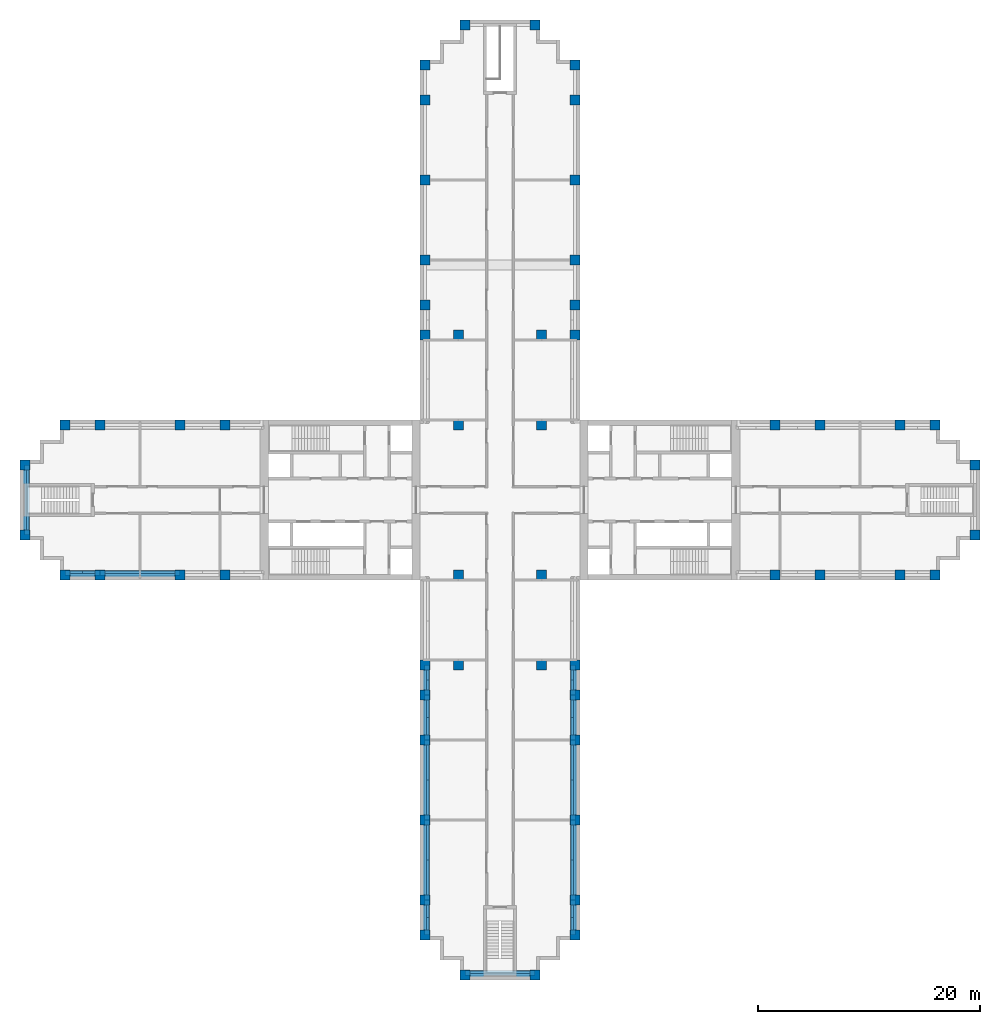
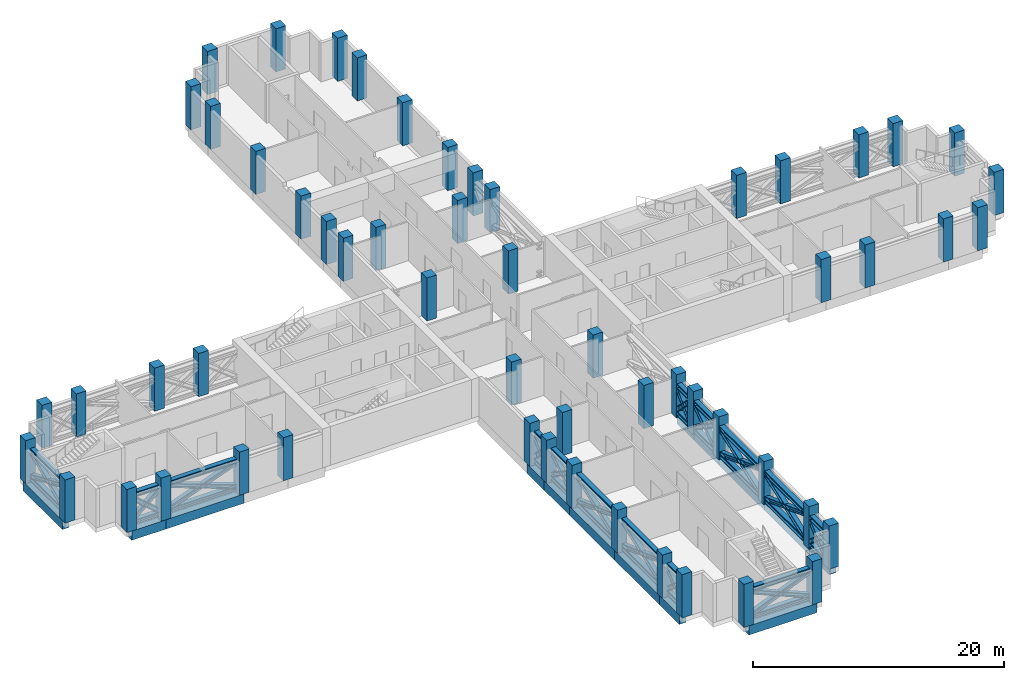
# One storey, part 1 of 10: 56 columns, 56 members, 14 beams.
"""IFC4 building model written with IfcOpenShell, lengths in metres."""

from ifc_helpers import new_model, si_unit, direction, frame, origin, origin_2d, place, context, subcontext, project, spatial, rectangle, i_section, extrude, material, material_profile, profile_set, type_object, element, save


model = new_model("IFC4")

# Units and contexts
model_context = context("Model", 3, precision=1e-05, world=origin(), true_north=direction((0.0, 1.0)))
body_context = subcontext(model_context, "Body", "Model", "MODEL_VIEW")
ifc_project = project(units=[si_unit("LENGTHUNIT", "METRE"), si_unit("AREAUNIT", "SQUARE_METRE"), si_unit("VOLUMEUNIT", "CUBIC_METRE"), si_unit("PLANEANGLEUNIT", "RADIAN"), si_unit("MASSUNIT", "GRAM", prefix="KILO")], contexts=[model_context])

# Site, building, storey
site_placement = place(None, origin())
site = spatial("IfcSite", under=ifc_project, at=site_placement, CompositionType="ELEMENT")
building_placement = place(site_placement, origin())
building = spatial("IfcBuilding", under=site, at=building_placement, Name="Fustian Cross Tower", CompositionType="ELEMENT")
storey_placement = place(building_placement, frame((0.0, 0.0, 62.699951171875)))
storey = spatial("IfcBuildingStorey", under=building, at=storey_placement, Name="L19", CompositionType="ELEMENT", Elevation=62.699951171875)

# Columns
ifc_material_1 = material(Name="Concrete C60/75", Category="concrete")
ifc_material_profile_1 = material_profile(ifc_material_1, rectangle(XDim=0.89990234375, YDim=0.89990234375, at=origin_2d()), Name="RC 900x900")
ifc_profile_set_1 = profile_set([ifc_material_profile_1], Name="Concrete C60/75")
column_type = type_object("IfcColumnType", Name="COLUMN RC 900x900 C60/75", PredefinedType="COLUMN", material=ifc_profile_set_1)
for number, where, z_axis, x_axis, name in (
    (1, (-42.75, -3.14990234375, 0.0), (0.0, 0.0, 1.0), (1.0, 0.0, 0.0), "COLUMN 001"),
    (2, (-42.75, 3.14990234375, 0.0), (0.0, 0.0, 1.0), (1.0, 0.0, 0.0), "COLUMN 002"),
    (3, (-39.14990234375, -6.75, 0.0), (0.0, 0.0, 1.0), (1.0, 0.0, 0.0), "COLUMN 003"),
    (4, (-39.14990234375, 6.75, 0.0), (0.0, 0.0, 1.0), (1.0, 0.0, 0.0), "COLUMN 004"),
    (5, (-36.0, -6.75, 0.0), (0.0, 0.0, 1.0), (1.0, 0.0, 0.0), "COLUMN 005"),
    (6, (-36.0, 6.75, 0.0), (0.0, 0.0, 1.0), (1.0, 0.0, 0.0), "COLUMN 006"),
    (7, (-28.800048828125, -6.75, 0.0), (0.0, 0.0, 1.0), (1.0, 0.0, 0.0), "COLUMN 007"),
    (8, (-28.800048828125, 6.75, 0.0), (0.0, 0.0, 1.0), (1.0, 0.0, 0.0), "COLUMN 010"),
    (9, (-24.75, -6.75, 0.0), (0.0, 0.0, 1.0), (1.0, 0.0, 0.0), "COLUMN 011"),
    (10, (-24.75, 6.75, 0.0), (0.0, 0.0, 1.0), (1.0, 0.0, 0.0), "COLUMN 012"),
    (11, (-6.75, -39.14990234375, 0.0), (0.0, 0.0, 1.0), (1.0, 0.0, 0.0), "COLUMN 013"),
    (12, (-6.75, -36.0, 0.0), (0.0, 0.0, 1.0), (1.0, 0.0, 0.0), "COLUMN 014"),
    (13, (-6.75, -28.800048828125, 0.0), (0.0, 0.0, 1.0), (1.0, 0.0, 0.0), "COLUMN 015"),
    (14, (-6.75, -21.60009765625, 0.0), (0.0, 0.0, 1.0), (1.0, 0.0, 0.0), "COLUMN 016"),
    (15, (-6.75, -17.550048828125, 0.0), (0.0, 0.0, 1.0), (1.0, 0.0, 0.0), "COLUMN 017"),
    (16, (-6.75, -14.85009765625, 0.0), (0.0, 0.0, 1.0), (1.0, 0.0, 0.0), "COLUMN 018"),
    (17, (-6.75, 14.85009765625, 0.0), (0.0, 0.0, 1.0), (1.0, 0.0, 0.0), "COLUMN 019"),
    (18, (-6.75, 17.550048828125, 0.0), (0.0, 0.0, 1.0), (1.0, 0.0, 0.0), "COLUMN 020"),
    (19, (-6.75, 21.60009765625, 0.0), (0.0, 0.0, 1.0), (1.0, 0.0, 0.0), "COLUMN 021"),
    (20, (-6.75, 28.800048828125, 0.0), (0.0, 0.0, 1.0), (1.0, 0.0, 0.0), "COLUMN 022"),
    (21, (-6.75, 36.0, 0.0), (0.0, 0.0, 1.0), (1.0, 0.0, 0.0), "COLUMN 023"),
    (22, (-6.75, 39.14990234375, 0.0), (0.0, 0.0, 1.0), (1.0, 0.0, 0.0), "COLUMN 024"),
    (23, (-3.75, -14.85009765625, 0.0), (0.0, 0.0, 1.0), (1.0, 0.0, 0.0), "COLUMN 025"),
    (24, (-3.75, -6.75, 0.0), (0.0, 0.0, 1.0), (1.0, 0.0, 0.0), "COLUMN 026"),
    (25, (-3.75, 6.75, 0.0), (0.0, 0.0, 1.0), (1.0, 0.0, 0.0), "COLUMN 027"),
    (26, (-3.75, 14.85009765625, 0.0), (0.0, 0.0, 1.0), (1.0, 0.0, 0.0), "COLUMN 028"),
    (27, (-3.14990234375, -42.75, 0.0), (0.0, 0.0, 1.0), (1.0, 0.0, 0.0), "COLUMN 029"),
    (28, (-3.14990234375, 42.75, 0.0), (0.0, 0.0, 1.0), (1.0, 0.0, 0.0), "COLUMN 032"),
    (29, (3.14990234375, -42.75, 0.0), (0.0, 0.0, 1.0), (1.0, 0.0, 0.0), "COLUMN 033"),
    (30, (3.14990234375, 42.75, 0.0), (0.0, 0.0, 1.0), (1.0, 0.0, 0.0), "COLUMN 036"),
    (31, (3.75, -14.85009765625, 0.0), (0.0, 0.0, 1.0), (1.0, 0.0, 0.0), "COLUMN 037"),
    (32, (3.75, -6.75, 0.0), (0.0, 0.0, 1.0), (1.0, 0.0, 0.0), "COLUMN 038"),
    (33, (3.75, 6.75, 0.0), (0.0, 0.0, 1.0), (1.0, 0.0, 0.0), "COLUMN 039"),
    (34, (3.75, 14.85009765625, 0.0), (0.0, 0.0, 1.0), (1.0, 0.0, 0.0), "COLUMN 040"),
    (35, (6.75, -39.14990234375, 0.0), (0.0, 0.0, 1.0), (1.0, 0.0, 0.0), "COLUMN 041"),
    (36, (6.75, -36.0, 0.0), (0.0, 0.0, 1.0), (1.0, 0.0, 0.0), "COLUMN 042"),
    (37, (6.75, -28.800048828125, 0.0), (0.0, 0.0, 1.0), (1.0, 0.0, 0.0), "COLUMN 043"),
    (38, (6.75, -21.60009765625, 0.0), (0.0, 0.0, 1.0), (1.0, 0.0, 0.0), "COLUMN 044"),
    (39, (6.75, -17.550048828125, 0.0), (0.0, 0.0, 1.0), (1.0, 0.0, 0.0), "COLUMN 045"),
    (40, (6.75, -14.85009765625, 0.0), (0.0, 0.0, 1.0), (1.0, 0.0, 0.0), "COLUMN 046"),
    (41, (6.75, 14.85009765625, 0.0), (0.0, 0.0, 1.0), (1.0, 0.0, 0.0), "COLUMN 047"),
    (42, (6.75, 17.550048828125, 0.0), (0.0, 0.0, 1.0), (1.0, 0.0, 0.0), "COLUMN 048"),
    (43, (6.75, 21.60009765625, 0.0), (0.0, 0.0, 1.0), (1.0, 0.0, 0.0), "COLUMN 049"),
    (44, (6.75, 28.800048828125, 0.0), (0.0, 0.0, 1.0), (1.0, 0.0, 0.0), "COLUMN 050"),
    (45, (6.75, 36.0, 0.0), (0.0, 0.0, 1.0), (1.0, 0.0, 0.0), "COLUMN 051"),
    (46, (6.75, 39.14990234375, 0.0), (0.0, 0.0, 1.0), (1.0, 0.0, 0.0), "COLUMN 052"),
    (47, (24.75, -6.75, 0.0), (0.0, 0.0, 1.0), (1.0, 0.0, 0.0), "COLUMN 053"),
    (48, (24.75, 6.75, 0.0), (0.0, 0.0, 1.0), (1.0, 0.0, 0.0), "COLUMN 054"),
    (49, (28.800048828125, -6.75, 0.0), (0.0, 0.0, 1.0), (1.0, 0.0, 0.0), "COLUMN 055"),
    (50, (28.800048828125, 6.75, 0.0), (0.0, 0.0, 1.0), (1.0, 0.0, 0.0), "COLUMN 058"),
    (51, (36.0, -6.75, 0.0), (0.0, 0.0, 1.0), (1.0, 0.0, 0.0), "COLUMN 059"),
    (52, (36.0, 6.75, 0.0), (0.0, 0.0, 1.0), (1.0, 0.0, 0.0), "COLUMN 060"),
    (53, (39.14990234375, -6.75, 0.0), (0.0, 0.0, 1.0), (1.0, 0.0, 0.0), "COLUMN 061"),
    (54, (39.14990234375, 6.75, 0.0), (0.0, 0.0, 1.0), (1.0, 0.0, 0.0), "COLUMN 062"),
    (55, (42.75, -3.14990234375, 0.0), (0.0, 0.0, 1.0), (1.0, 0.0, 0.0), "COLUMN 063"),
    (56, (42.75, 3.14990234375, 0.0), (0.0, 0.0, 1.0), (1.0, 0.0, 0.0), "COLUMN 064"),
):
    element("IfcColumn", number, at=place(storey_placement, frame(where, z_axis=z_axis, x_axis=x_axis)), inside=storey, type_object=column_type, Name=name, PredefinedType="COLUMN", context=body_context, shape_type="SweptSolid", body=[
        extrude(rectangle(XDim=0.89990234375, YDim=0.89990234375, at=origin_2d()), origin(), (0.0, 0.0, 1.0), 4.199951171875),
    ])

# Members
ifc_material_2 = material(Name="Steel S355", Category="steel")
ifc_material_profile_2 = material_profile(ifc_material_2, i_section(OverallWidth=0.403076171875, OverallDepth=0.406494140625, WebThickness=0.026611328125, FlangeThickness=0.04296875, FilletRadius=0.01513671875, at=origin_2d()), Name="UC 356x406x340")
ifc_profile_set_2 = profile_set([ifc_material_profile_2], Name="Steel S355")
member_type_1 = type_object("IfcMemberType", Name="BELT TRUSS BRACE UC 356x406x340 S355", PredefinedType="BRACE", material=ifc_profile_set_2)
for number, where, z_axis, x_axis, name in (
    (57, (-42.570068359375, 3.14990234375, 0.400146484375), (0.0, -0.921109079708, 0.389304589339), (1.0, 0.0, 0.0), "BELT TRUSS BRACE L19-18X"),
    (58, (-42.570068359375, 3.14990234375, 3.062744140625), (0.0, -0.921109079708, -0.389304589339), (1.0, 0.0, 0.0), "BELT TRUSS BRACE L19-18Y"),
):
    element("IfcMember", number, at=place(storey_placement, frame(where, z_axis=z_axis, x_axis=x_axis)), inside=storey, type_object=member_type_1, Name=name, PredefinedType="BRACE", context=body_context, shape_type="SweptSolid", body=[
        extrude(i_section(OverallWidth=0.403076171875, OverallDepth=0.406494140625, WebThickness=0.026611328125, FlangeThickness=0.04296875, FilletRadius=0.01513671875, at=origin_2d()), origin(), (0.0, 0.0, 1.0), 6.83935546875),
    ])
for number, where, z_axis, x_axis, name in (
    (59, (-39.14990234375, -6.570068359375, 0.400146484375), (0.763709506591, 0.0, 0.645560058819), (0.0, 1.0, 0.0), "BELT TRUSS BRACE L19-19X"),
    (60, (-39.14990234375, -6.570068359375, 3.062744140625), (0.763709506591, 0.0, -0.645560058819), (0.0, 1.0, 0.0), "BELT TRUSS BRACE L19-19Y"),
):
    element("IfcMember", number, at=place(storey_placement, frame(where, z_axis=z_axis, x_axis=x_axis)), inside=storey, type_object=member_type_1, Name=name, PredefinedType="BRACE", context=body_context, shape_type="SweptSolid", body=[
        extrude(i_section(OverallWidth=0.403076171875, OverallDepth=0.406494140625, WebThickness=0.026611328125, FlangeThickness=0.04296875, FilletRadius=0.01513671875, at=origin_2d()), origin(), (0.0, 0.0, 1.0), 4.12451171875),
    ])
for number, where, z_axis, x_axis, name in (
    (61, (-36.0, -6.570068359375, 0.400146484375), (0.937920515883, 0.0, 0.346850264359), (0.0, 1.0, 0.0), "BELT TRUSS BRACE L19-20X"),
    (62, (-36.0, -6.570068359375, 3.062744140625), (0.937920515883, 0.0, -0.346850264359), (0.0, 1.0, 0.0), "BELT TRUSS BRACE L19-20Y"),
):
    element("IfcMember", number, at=place(storey_placement, frame(where, z_axis=z_axis, x_axis=x_axis)), inside=storey, type_object=member_type_1, Name=name, PredefinedType="BRACE", context=body_context, shape_type="SweptSolid", body=[
        extrude(i_section(OverallWidth=0.403076171875, OverallDepth=0.406494140625, WebThickness=0.026611328125, FlangeThickness=0.04296875, FilletRadius=0.01513671875, at=origin_2d()), origin(), (0.0, 0.0, 1.0), 7.676513671875),
    ])
for number, where, z_axis, x_axis, name in (
    (63, (-6.570068359375, -14.85009765625, 0.400146484375), (0.0, -0.712014950109, 0.702164304719), (1.0, 0.0, 0.0), "BELT TRUSS BRACE L19-24X"),
    (64, (-6.570068359375, -14.85009765625, 3.062744140625), (0.0, -0.712014950109, -0.702164304719), (1.0, 0.0, 0.0), "BELT TRUSS BRACE L19-24Y"),
):
    element("IfcMember", number, at=place(storey_placement, frame(where, z_axis=z_axis, x_axis=x_axis)), inside=storey, type_object=member_type_1, Name=name, PredefinedType="BRACE", context=body_context, shape_type="SweptSolid", body=[
        extrude(i_section(OverallWidth=0.403076171875, OverallDepth=0.406494140625, WebThickness=0.026611328125, FlangeThickness=0.04296875, FilletRadius=0.01513671875, at=origin_2d()), origin(), (0.0, 0.0, 1.0), 3.7919921875),
    ])
for number, where, z_axis, x_axis, name in (
    (65, (-6.570068359375, -17.550048828125, 0.400146484375), (0.0, -0.835597801521, 0.549341709771), (1.0, 0.0, 0.0), "BELT TRUSS BRACE L19-25X"),
    (66, (-6.570068359375, -17.550048828125, 3.062744140625), (0.0, -0.835597801521, -0.549341709771), (1.0, 0.0, 0.0), "BELT TRUSS BRACE L19-25Y"),
):
    element("IfcMember", number, at=place(storey_placement, frame(where, z_axis=z_axis, x_axis=x_axis)), inside=storey, type_object=member_type_1, Name=name, PredefinedType="BRACE", context=body_context, shape_type="SweptSolid", body=[
        extrude(i_section(OverallWidth=0.403076171875, OverallDepth=0.406494140625, WebThickness=0.026611328125, FlangeThickness=0.04296875, FilletRadius=0.01513671875, at=origin_2d()), origin(), (0.0, 0.0, 1.0), 4.846923828125),
    ])
for number, where, z_axis, x_axis, name in (
    (67, (-6.570068359375, -21.60009765625, 0.400146484375), (0.0, -0.937920515883, 0.346850264359), (1.0, 0.0, 0.0), "BELT TRUSS BRACE L19-26X"),
    (68, (-6.570068359375, -21.60009765625, 3.062744140625), (0.0, -0.937920515883, -0.346850264359), (1.0, 0.0, 0.0), "BELT TRUSS BRACE L19-26Y"),
    (69, (-6.570068359375, -28.800048828125, 0.400146484375), (0.0, -0.937920515883, 0.346850264359), (1.0, 0.0, 0.0), "BELT TRUSS BRACE L19-27X"),
    (70, (-6.570068359375, -28.800048828125, 3.062744140625), (0.0, -0.937920515883, -0.346850264359), (1.0, 0.0, 0.0), "BELT TRUSS BRACE L19-27Y"),
):
    element("IfcMember", number, at=place(storey_placement, frame(where, z_axis=z_axis, x_axis=x_axis)), inside=storey, type_object=member_type_1, Name=name, PredefinedType="BRACE", context=body_context, shape_type="SweptSolid", body=[
        extrude(i_section(OverallWidth=0.403076171875, OverallDepth=0.406494140625, WebThickness=0.026611328125, FlangeThickness=0.04296875, FilletRadius=0.01513671875, at=origin_2d()), origin(), (0.0, 0.0, 1.0), 7.676513671875),
    ])
for number, where, z_axis, x_axis, name in (
    (71, (-6.570068359375, -36.0, 0.400146484375), (0.0, -0.763709506591, 0.645560058819), (1.0, 0.0, 0.0), "BELT TRUSS BRACE L19-28X"),
    (72, (-6.570068359375, -36.0, 3.062744140625), (0.0, -0.763709506591, -0.645560058819), (1.0, 0.0, 0.0), "BELT TRUSS BRACE L19-28Y"),
):
    element("IfcMember", number, at=place(storey_placement, frame(where, z_axis=z_axis, x_axis=x_axis)), inside=storey, type_object=member_type_1, Name=name, PredefinedType="BRACE", context=body_context, shape_type="SweptSolid", body=[
        extrude(i_section(OverallWidth=0.403076171875, OverallDepth=0.406494140625, WebThickness=0.026611328125, FlangeThickness=0.04296875, FilletRadius=0.01513671875, at=origin_2d()), origin(), (0.0, 0.0, 1.0), 4.12451171875),
    ])
for number, where, z_axis, x_axis, name in (
    (73, (-3.14990234375, -42.570068359375, 0.400146484375), (0.921109079708, 0.0, 0.389304589339), (0.0, 1.0, 0.0), "BELT TRUSS BRACE L19-29X"),
    (74, (-3.14990234375, -42.570068359375, 3.062744140625), (0.921109079708, 0.0, -0.389304589339), (0.0, 1.0, 0.0), "BELT TRUSS BRACE L19-29Y"),
):
    element("IfcMember", number, at=place(storey_placement, frame(where, z_axis=z_axis, x_axis=x_axis)), inside=storey, type_object=member_type_1, Name=name, PredefinedType="BRACE", context=body_context, shape_type="SweptSolid", body=[
        extrude(i_section(OverallWidth=0.403076171875, OverallDepth=0.406494140625, WebThickness=0.026611328125, FlangeThickness=0.04296875, FilletRadius=0.01513671875, at=origin_2d()), origin(), (0.0, 0.0, 1.0), 6.83935546875),
    ])
for number, where, z_axis, x_axis, name in (
    (75, (6.570068359375, -39.14990234375, 0.400146484375), (0.0, 0.763709506591, 0.645560058819), (-1.0, 0.0, 0.0), "BELT TRUSS BRACE L19-30X"),
    (76, (6.570068359375, -39.14990234375, 3.062744140625), (0.0, 0.763709506591, -0.645560058819), (-1.0, 0.0, 0.0), "BELT TRUSS BRACE L19-30Y"),
):
    element("IfcMember", number, at=place(storey_placement, frame(where, z_axis=z_axis, x_axis=x_axis)), inside=storey, type_object=member_type_1, Name=name, PredefinedType="BRACE", context=body_context, shape_type="SweptSolid", body=[
        extrude(i_section(OverallWidth=0.403076171875, OverallDepth=0.406494140625, WebThickness=0.026611328125, FlangeThickness=0.04296875, FilletRadius=0.01513671875, at=origin_2d()), origin(), (0.0, 0.0, 1.0), 4.12451171875),
    ])
for number, where, z_axis, x_axis, name in (
    (77, (6.570068359375, -36.0, 0.400146484375), (0.0, 0.937920515883, 0.346850264359), (-1.0, 0.0, 0.0), "BELT TRUSS BRACE L19-31X"),
    (78, (6.570068359375, -36.0, 3.062744140625), (0.0, 0.937920515883, -0.346850264359), (-1.0, 0.0, 0.0), "BELT TRUSS BRACE L19-31Y"),
    (79, (6.570068359375, -28.800048828125, 0.400146484375), (0.0, 0.937920515883, 0.346850264359), (-1.0, 0.0, 0.0), "BELT TRUSS BRACE L19-32X"),
    (80, (6.570068359375, -28.800048828125, 3.062744140625), (0.0, 0.937920515883, -0.346850264359), (-1.0, 0.0, 0.0), "BELT TRUSS BRACE L19-32Y"),
):
    element("IfcMember", number, at=place(storey_placement, frame(where, z_axis=z_axis, x_axis=x_axis)), inside=storey, type_object=member_type_1, Name=name, PredefinedType="BRACE", context=body_context, shape_type="SweptSolid", body=[
        extrude(i_section(OverallWidth=0.403076171875, OverallDepth=0.406494140625, WebThickness=0.026611328125, FlangeThickness=0.04296875, FilletRadius=0.01513671875, at=origin_2d()), origin(), (0.0, 0.0, 1.0), 7.676513671875),
    ])
for number, where, z_axis, x_axis, name in (
    (81, (6.570068359375, -21.60009765625, 0.400146484375), (0.0, 0.835597801521, 0.549341709771), (-1.0, 0.0, 0.0), "BELT TRUSS BRACE L19-33X"),
    (82, (6.570068359375, -21.60009765625, 3.062744140625), (0.0, 0.835597801521, -0.549341709771), (-1.0, 0.0, 0.0), "BELT TRUSS BRACE L19-33Y"),
):
    element("IfcMember", number, at=place(storey_placement, frame(where, z_axis=z_axis, x_axis=x_axis)), inside=storey, type_object=member_type_1, Name=name, PredefinedType="BRACE", context=body_context, shape_type="SweptSolid", body=[
        extrude(i_section(OverallWidth=0.403076171875, OverallDepth=0.406494140625, WebThickness=0.026611328125, FlangeThickness=0.04296875, FilletRadius=0.01513671875, at=origin_2d()), origin(), (0.0, 0.0, 1.0), 4.846923828125),
    ])
for number, where, z_axis, x_axis, name in (
    (83, (6.570068359375, -17.550048828125, 0.400146484375), (0.0, 0.712014950109, 0.702164304719), (-1.0, 0.0, 0.0), "BELT TRUSS BRACE L19-34X"),
    (84, (6.570068359375, -17.550048828125, 3.062744140625), (0.0, 0.712014950109, -0.702164304719), (-1.0, 0.0, 0.0), "BELT TRUSS BRACE L19-34Y"),
):
    element("IfcMember", number, at=place(storey_placement, frame(where, z_axis=z_axis, x_axis=x_axis)), inside=storey, type_object=member_type_1, Name=name, PredefinedType="BRACE", context=body_context, shape_type="SweptSolid", body=[
        extrude(i_section(OverallWidth=0.403076171875, OverallDepth=0.406494140625, WebThickness=0.026611328125, FlangeThickness=0.04296875, FilletRadius=0.01513671875, at=origin_2d()), origin(), (0.0, 0.0, 1.0), 3.7919921875),
    ])
ifc_material_3 = material(Name="Steel S355", Category="steel")
ifc_material_profile_3 = material_profile(ifc_material_3, i_section(OverallWidth=0.424072265625, OverallDepth=0.474609375, WebThickness=0.047607421875, FlangeThickness=0.076904296875, FilletRadius=0.01513671875, at=origin_2d()), Name="UC 356x406x634")
ifc_profile_set_3 = profile_set([ifc_material_profile_3], Name="Steel S355")
member_type_2 = type_object("IfcMemberType", Name="BELT TRUSS CHORD UC 356x406x634 S355", PredefinedType="CHORD", material=ifc_profile_set_3)
for number, where, z_axis, x_axis, name in (
    (85, (-42.570068359375, 3.14990234375, 3.062744140625), (0.0, -1.0, 0.0), (1.0, 0.0, 0.0), "BELT TRUSS CHORD L19-18"),
    (86, (-42.570068359375, 3.14990234375, 0.400146484375), (0.0, -1.0, 0.0), (1.0, 0.0, 0.0), "BELT TRUSS CHORD L19-18"),
):
    element("IfcMember", number, at=place(storey_placement, frame(where, z_axis=z_axis, x_axis=x_axis)), inside=storey, type_object=member_type_2, Name=name, PredefinedType="CHORD", context=body_context, shape_type="SweptSolid", body=[
        extrude(i_section(OverallWidth=0.424072265625, OverallDepth=0.474609375, WebThickness=0.047607421875, FlangeThickness=0.076904296875, FilletRadius=0.01513671875, at=origin_2d()), origin(), (0.0, 0.0, 1.0), 6.2998046875),
    ])
for number, where, z_axis, x_axis, name in (
    (87, (-39.14990234375, -6.570068359375, 3.062744140625), (1.0, 0.0, 0.0), (0.0, 1.0, 0.0), "BELT TRUSS CHORD L19-19"),
    (88, (-39.14990234375, -6.570068359375, 0.400146484375), (1.0, 0.0, 0.0), (0.0, 1.0, 0.0), "BELT TRUSS CHORD L19-19"),
):
    element("IfcMember", number, at=place(storey_placement, frame(where, z_axis=z_axis, x_axis=x_axis)), inside=storey, type_object=member_type_2, Name=name, PredefinedType="CHORD", context=body_context, shape_type="SweptSolid", body=[
        extrude(i_section(OverallWidth=0.424072265625, OverallDepth=0.474609375, WebThickness=0.047607421875, FlangeThickness=0.076904296875, FilletRadius=0.01513671875, at=origin_2d()), origin(), (0.0, 0.0, 1.0), 3.14990234375),
    ])
for number, where, z_axis, x_axis, name in (
    (89, (-36.0, -6.570068359375, 3.062744140625), (1.0, 0.0, 0.0), (0.0, 1.0, 0.0), "BELT TRUSS CHORD L19-20"),
    (90, (-36.0, -6.570068359375, 0.400146484375), (1.0, 0.0, 0.0), (0.0, 1.0, 0.0), "BELT TRUSS CHORD L19-20"),
):
    element("IfcMember", number, at=place(storey_placement, frame(where, z_axis=z_axis, x_axis=x_axis)), inside=storey, type_object=member_type_2, Name=name, PredefinedType="CHORD", context=body_context, shape_type="SweptSolid", body=[
        extrude(i_section(OverallWidth=0.424072265625, OverallDepth=0.474609375, WebThickness=0.047607421875, FlangeThickness=0.076904296875, FilletRadius=0.01513671875, at=origin_2d()), origin(), (0.0, 0.0, 1.0), 7.199951171875),
    ])
for number, where, z_axis, x_axis, name in (
    (91, (-6.570068359375, -14.85009765625, 3.062744140625), (0.0, -1.0, 0.0), (1.0, 0.0, 0.0), "BELT TRUSS CHORD L19-24"),
    (92, (-6.570068359375, -14.85009765625, 0.400146484375), (0.0, -1.0, 0.0), (1.0, 0.0, 0.0), "BELT TRUSS CHORD L19-24"),
):
    element("IfcMember", number, at=place(storey_placement, frame(where, z_axis=z_axis, x_axis=x_axis)), inside=storey, type_object=member_type_2, Name=name, PredefinedType="CHORD", context=body_context, shape_type="SweptSolid", body=[
        extrude(i_section(OverallWidth=0.424072265625, OverallDepth=0.474609375, WebThickness=0.047607421875, FlangeThickness=0.076904296875, FilletRadius=0.01513671875, at=origin_2d()), origin(), (0.0, 0.0, 1.0), 2.699951171875),
    ])
for number, where, z_axis, x_axis, name in (
    (93, (-6.570068359375, -17.550048828125, 3.062744140625), (0.0, -1.0, 0.0), (1.0, 0.0, 0.0), "BELT TRUSS CHORD L19-25"),
    (94, (-6.570068359375, -17.550048828125, 0.400146484375), (0.0, -1.0, 0.0), (1.0, 0.0, 0.0), "BELT TRUSS CHORD L19-25"),
):
    element("IfcMember", number, at=place(storey_placement, frame(where, z_axis=z_axis, x_axis=x_axis)), inside=storey, type_object=member_type_2, Name=name, PredefinedType="CHORD", context=body_context, shape_type="SweptSolid", body=[
        extrude(i_section(OverallWidth=0.424072265625, OverallDepth=0.474609375, WebThickness=0.047607421875, FlangeThickness=0.076904296875, FilletRadius=0.01513671875, at=origin_2d()), origin(), (0.0, 0.0, 1.0), 4.050048828125),
    ])
for number, where, z_axis, x_axis, name in (
    (95, (-6.570068359375, -21.60009765625, 3.062744140625), (0.0, -1.0, 0.0), (1.0, 0.0, 0.0), "BELT TRUSS CHORD L19-26"),
    (96, (-6.570068359375, -21.60009765625, 0.400146484375), (0.0, -1.0, 0.0), (1.0, 0.0, 0.0), "BELT TRUSS CHORD L19-26"),
    (97, (-6.570068359375, -28.800048828125, 3.062744140625), (0.0, -1.0, 0.0), (1.0, 0.0, 0.0), "BELT TRUSS CHORD L19-27"),
    (98, (-6.570068359375, -28.800048828125, 0.400146484375), (0.0, -1.0, 0.0), (1.0, 0.0, 0.0), "BELT TRUSS CHORD L19-27"),
):
    element("IfcMember", number, at=place(storey_placement, frame(where, z_axis=z_axis, x_axis=x_axis)), inside=storey, type_object=member_type_2, Name=name, PredefinedType="CHORD", context=body_context, shape_type="SweptSolid", body=[
        extrude(i_section(OverallWidth=0.424072265625, OverallDepth=0.474609375, WebThickness=0.047607421875, FlangeThickness=0.076904296875, FilletRadius=0.01513671875, at=origin_2d()), origin(), (0.0, 0.0, 1.0), 7.199951171875),
    ])
for number, where, z_axis, x_axis, name in (
    (99, (-6.570068359375, -36.0, 3.062744140625), (0.0, -1.0, 0.0), (1.0, 0.0, 0.0), "BELT TRUSS CHORD L19-28"),
    (100, (-6.570068359375, -36.0, 0.400146484375), (0.0, -1.0, 0.0), (1.0, 0.0, 0.0), "BELT TRUSS CHORD L19-28"),
):
    element("IfcMember", number, at=place(storey_placement, frame(where, z_axis=z_axis, x_axis=x_axis)), inside=storey, type_object=member_type_2, Name=name, PredefinedType="CHORD", context=body_context, shape_type="SweptSolid", body=[
        extrude(i_section(OverallWidth=0.424072265625, OverallDepth=0.474609375, WebThickness=0.047607421875, FlangeThickness=0.076904296875, FilletRadius=0.01513671875, at=origin_2d()), origin(), (0.0, 0.0, 1.0), 3.14990234375),
    ])
for number, where, z_axis, x_axis, name in (
    (101, (-3.14990234375, -42.570068359375, 3.062744140625), (1.0, 0.0, 0.0), (0.0, 1.0, 0.0), "BELT TRUSS CHORD L19-29"),
    (102, (-3.14990234375, -42.570068359375, 0.400146484375), (1.0, 0.0, 0.0), (0.0, 1.0, 0.0), "BELT TRUSS CHORD L19-29"),
):
    element("IfcMember", number, at=place(storey_placement, frame(where, z_axis=z_axis, x_axis=x_axis)), inside=storey, type_object=member_type_2, Name=name, PredefinedType="CHORD", context=body_context, shape_type="SweptSolid", body=[
        extrude(i_section(OverallWidth=0.424072265625, OverallDepth=0.474609375, WebThickness=0.047607421875, FlangeThickness=0.076904296875, FilletRadius=0.01513671875, at=origin_2d()), origin(), (0.0, 0.0, 1.0), 6.2998046875),
    ])
for number, where, z_axis, x_axis, name in (
    (103, (6.570068359375, -39.14990234375, 3.062744140625), (0.0, 1.0, 0.0), (-1.0, 0.0, 0.0), "BELT TRUSS CHORD L19-30"),
    (104, (6.570068359375, -39.14990234375, 0.400146484375), (0.0, 1.0, 0.0), (-1.0, 0.0, 0.0), "BELT TRUSS CHORD L19-30"),
):
    element("IfcMember", number, at=place(storey_placement, frame(where, z_axis=z_axis, x_axis=x_axis)), inside=storey, type_object=member_type_2, Name=name, PredefinedType="CHORD", context=body_context, shape_type="SweptSolid", body=[
        extrude(i_section(OverallWidth=0.424072265625, OverallDepth=0.474609375, WebThickness=0.047607421875, FlangeThickness=0.076904296875, FilletRadius=0.01513671875, at=origin_2d()), origin(), (0.0, 0.0, 1.0), 3.14990234375),
    ])
for number, where, z_axis, x_axis, name in (
    (105, (6.570068359375, -36.0, 3.062744140625), (0.0, 1.0, 0.0), (-1.0, 0.0, 0.0), "BELT TRUSS CHORD L19-31"),
    (106, (6.570068359375, -36.0, 0.400146484375), (0.0, 1.0, 0.0), (-1.0, 0.0, 0.0), "BELT TRUSS CHORD L19-31"),
    (107, (6.570068359375, -28.800048828125, 3.062744140625), (0.0, 1.0, 0.0), (-1.0, 0.0, 0.0), "BELT TRUSS CHORD L19-32"),
    (108, (6.570068359375, -28.800048828125, 0.400146484375), (0.0, 1.0, 0.0), (-1.0, 0.0, 0.0), "BELT TRUSS CHORD L19-32"),
):
    element("IfcMember", number, at=place(storey_placement, frame(where, z_axis=z_axis, x_axis=x_axis)), inside=storey, type_object=member_type_2, Name=name, PredefinedType="CHORD", context=body_context, shape_type="SweptSolid", body=[
        extrude(i_section(OverallWidth=0.424072265625, OverallDepth=0.474609375, WebThickness=0.047607421875, FlangeThickness=0.076904296875, FilletRadius=0.01513671875, at=origin_2d()), origin(), (0.0, 0.0, 1.0), 7.199951171875),
    ])
for number, where, z_axis, x_axis, name in (
    (109, (6.570068359375, -21.60009765625, 3.062744140625), (0.0, 1.0, 0.0), (-1.0, 0.0, 0.0), "BELT TRUSS CHORD L19-33"),
    (110, (6.570068359375, -21.60009765625, 0.400146484375), (0.0, 1.0, 0.0), (-1.0, 0.0, 0.0), "BELT TRUSS CHORD L19-33"),
):
    element("IfcMember", number, at=place(storey_placement, frame(where, z_axis=z_axis, x_axis=x_axis)), inside=storey, type_object=member_type_2, Name=name, PredefinedType="CHORD", context=body_context, shape_type="SweptSolid", body=[
        extrude(i_section(OverallWidth=0.424072265625, OverallDepth=0.474609375, WebThickness=0.047607421875, FlangeThickness=0.076904296875, FilletRadius=0.01513671875, at=origin_2d()), origin(), (0.0, 0.0, 1.0), 4.050048828125),
    ])
for number, where, z_axis, x_axis, name in (
    (111, (6.570068359375, -17.550048828125, 3.062744140625), (0.0, 1.0, 0.0), (-1.0, 0.0, 0.0), "BELT TRUSS CHORD L19-34"),
    (112, (6.570068359375, -17.550048828125, 0.400146484375), (0.0, 1.0, 0.0), (-1.0, 0.0, 0.0), "BELT TRUSS CHORD L19-34"),
):
    element("IfcMember", number, at=place(storey_placement, frame(where, z_axis=z_axis, x_axis=x_axis)), inside=storey, type_object=member_type_2, Name=name, PredefinedType="CHORD", context=body_context, shape_type="SweptSolid", body=[
        extrude(i_section(OverallWidth=0.424072265625, OverallDepth=0.474609375, WebThickness=0.047607421875, FlangeThickness=0.076904296875, FilletRadius=0.01513671875, at=origin_2d()), origin(), (0.0, 0.0, 1.0), 2.699951171875),
    ])

# Beams
ifc_material_4 = material(Name="Concrete C50/60", Category="concrete")
ifc_material_profile_4 = material_profile(ifc_material_4, rectangle(XDim=0.60009765625, YDim=0.89990234375, at=origin_2d()), Name="RC 600x900")
ifc_profile_set_4 = profile_set([ifc_material_profile_4], Name="Concrete C50/60")
beam_type = type_object("IfcBeamType", Name="EDGE BEAM RC 600x900 C50/60", PredefinedType="SPANDREL", material=ifc_profile_set_4)
beam_1_placement = place(storey_placement, frame((-42.89990234375, 3.14990234375, -0.449951171875), z_axis=(0.0, -1.0, 0.0), x_axis=(1.0, 0.0, 0.0)))
element("IfcBeam", 113, at=beam_1_placement, inside=storey, type_object=beam_type, Name="EDGE BEAM L19-27", PredefinedType="SPANDREL", context=body_context, shape_type="SweptSolid", body=[
    extrude(rectangle(XDim=0.60009765625, YDim=0.89990234375, at=origin_2d()), origin(), (0.0, 0.0, 1.0), 6.2998046875),
])
beam_2_placement = place(storey_placement, frame((-39.14990234375, -6.89990234375, -0.449951171875), z_axis=(1.0, 0.0, 0.0), x_axis=(0.0, 1.0, 0.0)))
element("IfcBeam", 114, at=beam_2_placement, inside=storey, type_object=beam_type, Name="EDGE BEAM L19-28", PredefinedType="SPANDREL", context=body_context, shape_type="SweptSolid", body=[
    extrude(rectangle(XDim=0.60009765625, YDim=0.89990234375, at=origin_2d()), origin(), (0.0, 0.0, 1.0), 3.14990234375),
])
beam_3_placement = place(storey_placement, frame((-36.0, -6.89990234375, -0.449951171875), z_axis=(1.0, 0.0, 0.0), x_axis=(0.0, 1.0, 0.0)))
element("IfcBeam", 115, at=beam_3_placement, inside=storey, type_object=beam_type, Name="EDGE BEAM L19-29", PredefinedType="SPANDREL", context=body_context, shape_type="SweptSolid", body=[
    extrude(rectangle(XDim=0.60009765625, YDim=0.89990234375, at=origin_2d()), origin(), (0.0, 0.0, 1.0), 7.199951171875),
])
beam_4_placement = place(storey_placement, frame((-6.89990234375, -14.85009765625, -0.449951171875), z_axis=(0.0, -1.0, 0.0), x_axis=(1.0, 0.0, 0.0)))
element("IfcBeam", 116, at=beam_4_placement, inside=storey, type_object=beam_type, Name="EDGE BEAM L19-33", PredefinedType="SPANDREL", context=body_context, shape_type="SweptSolid", body=[
    extrude(rectangle(XDim=0.60009765625, YDim=0.89990234375, at=origin_2d()), origin(), (0.0, 0.0, 1.0), 2.699951171875),
])
beam_5_placement = place(storey_placement, frame((-6.89990234375, -17.550048828125, -0.449951171875), z_axis=(0.0, -1.0, 0.0), x_axis=(1.0, 0.0, 0.0)))
element("IfcBeam", 117, at=beam_5_placement, inside=storey, type_object=beam_type, Name="EDGE BEAM L19-34", PredefinedType="SPANDREL", context=body_context, shape_type="SweptSolid", body=[
    extrude(rectangle(XDim=0.60009765625, YDim=0.89990234375, at=origin_2d()), origin(), (0.0, 0.0, 1.0), 4.050048828125),
])
for number, where, z_axis, x_axis, name in (
    (118, (-6.89990234375, -21.60009765625, -0.449951171875), (0.0, -1.0, 0.0), (1.0, 0.0, 0.0), "EDGE BEAM L19-35"),
    (119, (-6.89990234375, -28.800048828125, -0.449951171875), (0.0, -1.0, 0.0), (1.0, 0.0, 0.0), "EDGE BEAM L19-36"),
):
    element("IfcBeam", number, at=place(storey_placement, frame(where, z_axis=z_axis, x_axis=x_axis)), inside=storey, type_object=beam_type, Name=name, PredefinedType="SPANDREL", context=body_context, shape_type="SweptSolid", body=[
        extrude(rectangle(XDim=0.60009765625, YDim=0.89990234375, at=origin_2d()), origin(), (0.0, 0.0, 1.0), 7.199951171875),
    ])
beam_6_placement = place(storey_placement, frame((-6.89990234375, -36.0, -0.449951171875), z_axis=(0.0, -1.0, 0.0), x_axis=(1.0, 0.0, 0.0)))
element("IfcBeam", 120, at=beam_6_placement, inside=storey, type_object=beam_type, Name="EDGE BEAM L19-37", PredefinedType="SPANDREL", context=body_context, shape_type="SweptSolid", body=[
    extrude(rectangle(XDim=0.60009765625, YDim=0.89990234375, at=origin_2d()), origin(), (0.0, 0.0, 1.0), 3.14990234375),
])
beam_7_placement = place(storey_placement, frame((-3.14990234375, -42.89990234375, -0.449951171875), z_axis=(1.0, 0.0, 0.0), x_axis=(0.0, 1.0, 0.0)))
element("IfcBeam", 121, at=beam_7_placement, inside=storey, type_object=beam_type, Name="EDGE BEAM L19-38", PredefinedType="SPANDREL", context=body_context, shape_type="SweptSolid", body=[
    extrude(rectangle(XDim=0.60009765625, YDim=0.89990234375, at=origin_2d()), origin(), (0.0, 0.0, 1.0), 6.2998046875),
])
beam_8_placement = place(storey_placement, frame((6.89990234375, -39.14990234375, -0.449951171875), z_axis=(0.0, 1.0, 0.0), x_axis=(-1.0, 0.0, 0.0)))
element("IfcBeam", 122, at=beam_8_placement, inside=storey, type_object=beam_type, Name="EDGE BEAM L19-39", PredefinedType="SPANDREL", context=body_context, shape_type="SweptSolid", body=[
    extrude(rectangle(XDim=0.60009765625, YDim=0.89990234375, at=origin_2d()), origin(), (0.0, 0.0, 1.0), 3.14990234375),
])
for number, where, z_axis, x_axis, name in (
    (123, (6.89990234375, -36.0, -0.449951171875), (0.0, 1.0, 0.0), (-1.0, 0.0, 0.0), "EDGE BEAM L19-40"),
    (124, (6.89990234375, -28.800048828125, -0.449951171875), (0.0, 1.0, 0.0), (-1.0, 0.0, 0.0), "EDGE BEAM L19-41"),
):
    element("IfcBeam", number, at=place(storey_placement, frame(where, z_axis=z_axis, x_axis=x_axis)), inside=storey, type_object=beam_type, Name=name, PredefinedType="SPANDREL", context=body_context, shape_type="SweptSolid", body=[
        extrude(rectangle(XDim=0.60009765625, YDim=0.89990234375, at=origin_2d()), origin(), (0.0, 0.0, 1.0), 7.199951171875),
    ])
beam_9_placement = place(storey_placement, frame((6.89990234375, -21.60009765625, -0.449951171875), z_axis=(0.0, 1.0, 0.0), x_axis=(-1.0, 0.0, 0.0)))
element("IfcBeam", 125, at=beam_9_placement, inside=storey, type_object=beam_type, Name="EDGE BEAM L19-42", PredefinedType="SPANDREL", context=body_context, shape_type="SweptSolid", body=[
    extrude(rectangle(XDim=0.60009765625, YDim=0.89990234375, at=origin_2d()), origin(), (0.0, 0.0, 1.0), 4.050048828125),
])
beam_10_placement = place(storey_placement, frame((6.89990234375, -17.550048828125, -0.449951171875), z_axis=(0.0, 1.0, 0.0), x_axis=(-1.0, 0.0, 0.0)))
element("IfcBeam", 126, at=beam_10_placement, inside=storey, type_object=beam_type, Name="EDGE BEAM L19-43", PredefinedType="SPANDREL", context=body_context, shape_type="SweptSolid", body=[
    extrude(rectangle(XDim=0.60009765625, YDim=0.89990234375, at=origin_2d()), origin(), (0.0, 0.0, 1.0), 2.699951171875),
])

save(model, "model.ifc")
